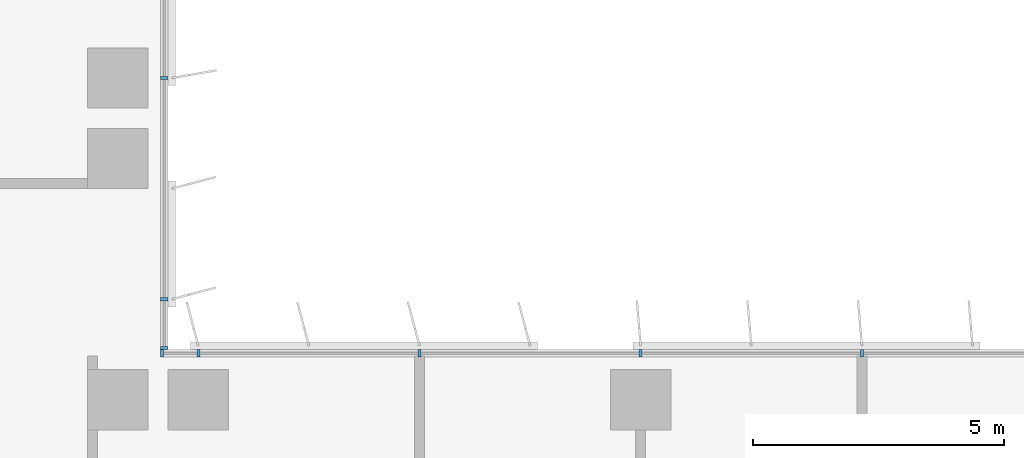
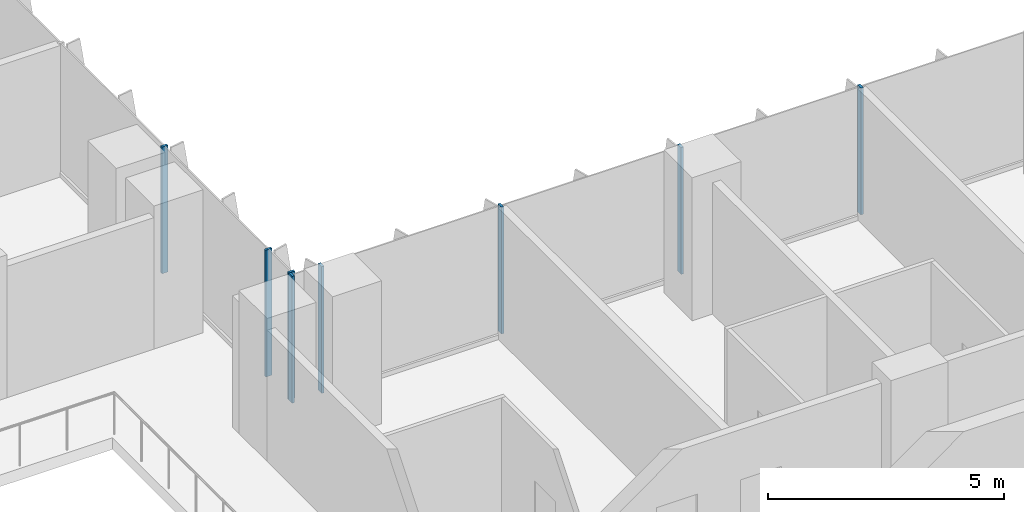
# One storey, part 2 of 23: 8 members, 2 elements without a shape of their own.
"""IFC4 building model written with IfcOpenShell, lengths in metres."""

from ifc_helpers import new_model, si_unit, direction, frame, origin, origin_2d, place, context, subcontext, project, spatial, rectangle, extrude, source, transform, mapped, material, material_profile, profile_set, type_object, element, aggregate, save


model = new_model("IFC4")

# Units and contexts
model_context = context("Model", 3, precision=1e-05, world=origin(), true_north=direction((0.0, 1.0)))
body_context = subcontext(model_context, "Body", "Model", "MODEL_VIEW")
ifc_project = project(units=[si_unit("LENGTHUNIT", "METRE"), si_unit("AREAUNIT", "SQUARE_METRE"), si_unit("VOLUMEUNIT", "CUBIC_METRE"), si_unit("PLANEANGLEUNIT", "RADIAN"), si_unit("MASSUNIT", "GRAM", prefix="KILO")], contexts=[model_context])

# Site, building, storey
site_placement = place(None, origin())
site = spatial("IfcSite", under=ifc_project, at=site_placement, CompositionType="ELEMENT")
building_placement = place(site_placement, origin())
building = spatial("IfcBuilding", under=site, at=building_placement, Name="Kemantara Hotel Tower", CompositionType="ELEMENT")
storey_placement = place(building_placement, frame((0.0, 0.0, 118.5)))
storey = spatial("IfcBuildingStorey", under=building, at=storey_placement, Name="L28", CompositionType="ELEMENT", Elevation=118.5)

# Curtain wall, members
ifc_material_1 = material(Name="Low-E tinted double insulated glass 36 mm", Category="glass")
curtain_wall_type = type_object("IfcCurtainWallType", Name="TOWER CURTAIN WALL, FRONT FACES", PredefinedType="USERDEFINED", material=ifc_material_1)
curtain_wall_1_placement = place(storey_placement, origin())
curtain_wall_1 = element("IfcCurtainWall", 1, at=curtain_wall_1_placement, inside=storey, type_object=curtain_wall_type, Name="CW4 L28 T2-R13-1", ObjectType="TOWER CURTAIN WALL, FRONT FACES", PredefinedType="USERDEFINED")
ifc_material_2 = material(Name="Aluminium 6063-T6 bronze anodised", Category="aluminium")
ifc_material_profile = material_profile(ifc_material_2, rectangle(XDim=0.14990234375, YDim=0.06005859375, at=origin_2d()), Name="TOWER CURTAIN WALL, FRONT FACES MULLION")
ifc_profile_set = profile_set([ifc_material_profile], Name="Aluminium 6063-T6 bronze anodised")
member_type = type_object("IfcMemberType", Name="TOWER CURTAIN WALL, FRONT FACES MULLION", PredefinedType="MULLION", material=ifc_profile_set)
shared_shape = source(origin(), body_context, "Body", "SweptSolid", [
    extrude(rectangle(XDim=0.14990234375, YDim=0.06005859375, at=origin_2d()), origin(), (0.0, 0.0, 1.0), 3.27978515625),
])
member_1_placement = place(storey_placement, frame((40.60009765625, 21.925048828125, 0.1201171875), z_axis=(0.0, 0.0, 1.0), x_axis=(0.0, -1.0, 0.0)))
member_1 = element("IfcMember", 2, at=member_1_placement, type_object=member_type, Name="CW4 mullion T2-R13-1.6", PredefinedType="MULLION", context=body_context, shape_type="MappedRepresentation", body=[
    mapped(shared_shape, transform((0.0, 0.0, 0.0))),
])
member_2_placement = place(storey_placement, frame((36.199951171875, 21.925048828125, 0.1201171875), z_axis=(0.0, 0.0, 1.0), x_axis=(0.0, -1.0, 0.0)))
member_2 = element("IfcMember", 3, at=member_2_placement, type_object=member_type, Name="CW4 mullion T2-R13-1.7", PredefinedType="MULLION", context=body_context, shape_type="MappedRepresentation", body=[
    mapped(shared_shape, transform((0.0, 0.0, 0.0))),
])
member_3_placement = place(storey_placement, frame((31.800048828125, 21.925048828125, 0.1201171875), z_axis=(0.0, 0.0, 1.0), x_axis=(0.0, -1.0, 0.0)))
member_3 = element("IfcMember", 4, at=member_3_placement, type_object=member_type, Name="CW4 mullion T2-R13-1.8", PredefinedType="MULLION", context=body_context, shape_type="MappedRepresentation", body=[
    mapped(shared_shape, transform((0.0, 0.0, 0.0))),
])
member_4_placement = place(storey_placement, frame((27.39990234375, 21.925048828125, 0.1201171875), z_axis=(0.0, 0.0, 1.0), x_axis=(0.0, -1.0, 0.0)))
member_4 = element("IfcMember", 5, at=member_4_placement, type_object=member_type, Name="CW4 mullion T2-R13-1.9", PredefinedType="MULLION", context=body_context, shape_type="MappedRepresentation", body=[
    mapped(shared_shape, transform((0.0, 0.0, 0.0))),
])
member_5_placement = place(storey_placement, frame((26.679931640625, 21.925048828125, 0.1201171875), z_axis=(0.0, 0.0, 1.0), x_axis=(0.0, -1.0, 0.0)))
member_5 = element("IfcMember", 6, at=member_5_placement, type_object=member_type, Name="CW4 mullion T2-R13-1.10", PredefinedType="MULLION", context=body_context, shape_type="MappedRepresentation", body=[
    mapped(shared_shape, transform((0.0, 0.0, 0.0))),
])
aggregate(curtain_wall_1, [member_1, member_2, member_3, member_4, member_5])

curtain_wall_2_placement = place(storey_placement, origin())
curtain_wall_2 = element("IfcCurtainWall", 7, at=curtain_wall_2_placement, inside=storey, type_object=curtain_wall_type, Name="CW4 L28 T2-R14-1", ObjectType="TOWER CURTAIN WALL, FRONT FACES", PredefinedType="USERDEFINED")
member_6_placement = place(storey_placement, frame((26.72509765625, 22.030029296875, 0.1201171875), z_axis=(0.0, 0.0, 1.0), x_axis=(-1.0, 0.0, 0.0)))
member_6 = element("IfcMember", 8, at=member_6_placement, type_object=member_type, Name="CW4 mullion T2-R14-1.1", PredefinedType="MULLION", context=body_context, shape_type="MappedRepresentation", body=[
    mapped(shared_shape, transform((0.0, 0.0, 0.0))),
])
member_7_placement = place(storey_placement, frame((26.72509765625, 23.0, 0.1201171875), z_axis=(0.0, 0.0, 1.0), x_axis=(-1.0, 0.0, 0.0)))
member_7 = element("IfcMember", 9, at=member_7_placement, type_object=member_type, Name="CW4 mullion T2-R14-1.2", PredefinedType="MULLION", context=body_context, shape_type="MappedRepresentation", body=[
    mapped(shared_shape, transform((0.0, 0.0, 0.0))),
])
member_8_placement = place(storey_placement, frame((26.72509765625, 27.39990234375, 0.1201171875), z_axis=(0.0, 0.0, 1.0), x_axis=(-1.0, 0.0, 0.0)))
member_8 = element("IfcMember", 10, at=member_8_placement, type_object=member_type, Name="CW4 mullion T2-R14-1.3", PredefinedType="MULLION", context=body_context, shape_type="MappedRepresentation", body=[
    mapped(shared_shape, transform((0.0, 0.0, 0.0))),
])
aggregate(curtain_wall_2, [member_6, member_7, member_8])

save(model, "model.ifc")
